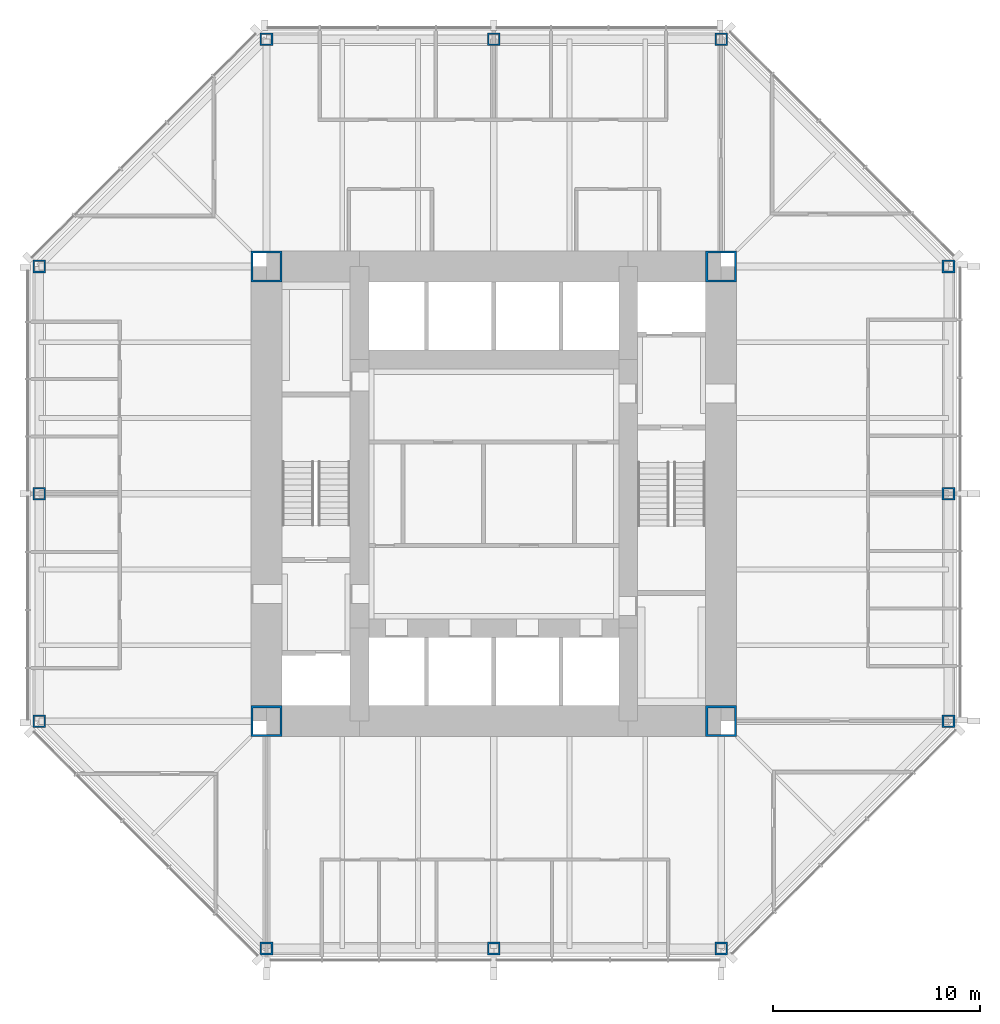
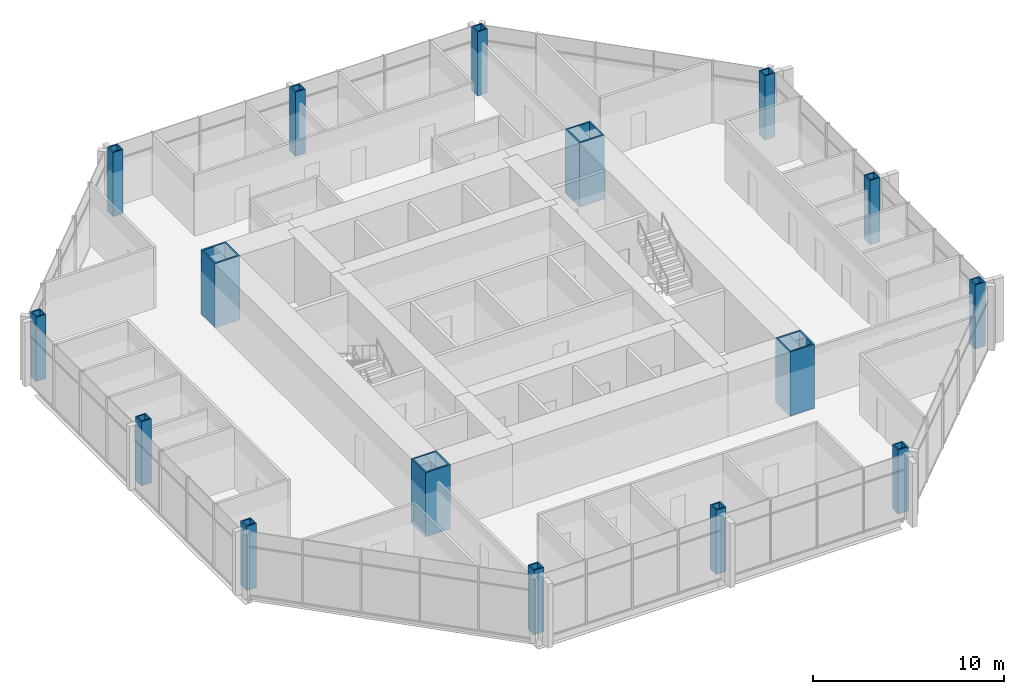
# One storey, part 1 of 12: 16 columns.
"""IFC4 building model written with IfcOpenShell, lengths in metres."""

from ifc_helpers import new_model, si_unit, direction, frame, origin, origin_2d, place, context, subcontext, project, spatial, hollow_rectangle, extrude, material, material_profile, profile_set, type_object, element, save


model = new_model("IFC4")

# Units and contexts
model_context = context("Model", 3, precision=1e-05, world=origin(), true_north=direction((0.0, 1.0)))
body_context = subcontext(model_context, "Body", "Model", "MODEL_VIEW")
ifc_project = project(units=[si_unit("LENGTHUNIT", "METRE"), si_unit("AREAUNIT", "SQUARE_METRE"), si_unit("VOLUMEUNIT", "CUBIC_METRE"), si_unit("PLANEANGLEUNIT", "RADIAN"), si_unit("MASSUNIT", "GRAM", prefix="KILO")], contexts=[model_context])

# Site, building, storey
site_placement = place(None, origin())
site = spatial("IfcSite", under=ifc_project, at=site_placement, CompositionType="ELEMENT")
building_placement = place(site_placement, origin())
building = spatial("IfcBuilding", under=site, at=building_placement, Name="Trevanion Tower", CompositionType="ELEMENT")
storey_placement = place(building_placement, frame((0.0, 0.0, 170.5)))
storey = spatial("IfcBuildingStorey", under=building, at=storey_placement, Name="L40", CompositionType="ELEMENT", Elevation=170.5)

# Columns
ifc_material_1 = material(Name="Steel ASTM A572 Grade 50", Category="steel")
ifc_material_profile_1 = material_profile(ifc_material_1, hollow_rectangle(XDim=0.609619140625, YDim=0.609619140625, WallThickness=0.076171875, at=origin_2d()), Name="BOX24X24X3")
ifc_profile_set_1 = profile_set([ifc_material_profile_1], Name="Steel ASTM A572 Grade 50")
column_type_1 = type_object("IfcColumnType", Name="C4 BOX24X24X3", PredefinedType="COLUMN", material=ifc_profile_set_1)
for number, where, z_axis, x_axis, name in (
    (1, (-22.0, 0.0, 0.0), (0.0, 0.0, 1.0), (0.0, 1.0, 0.0), "C4 4/H L40"),
    (2, (-22.0, -11.0, 0.0), (0.0, 0.0, 1.0), (0.0, 1.0, 0.0), "C4 4/F L40"),
    (3, (-11.0, -22.0, 0.0), (0.0, 0.0, 1.0), (1.0, 0.0, 0.0), "C4 8/B L40"),
    (4, (0.0, -22.0, 0.0), (0.0, 0.0, 1.0), (1.0, 0.0, 0.0), "C4 10/B L40"),
    (5, (11.0, -22.0, 0.0), (0.0, 0.0, 1.0), (1.0, 0.0, 0.0), "C4 12/B L40"),
    (6, (22.0, -11.0, 0.0), (0.0, 0.0, 1.0), (0.0, 1.0, 0.0), "C4 16/F L40"),
    (7, (22.0, 0.0, 0.0), (0.0, 0.0, 1.0), (0.0, 1.0, 0.0), "C4 16/H L40"),
    (8, (22.0, 11.0, 0.0), (0.0, 0.0, 1.0), (0.0, 1.0, 0.0), "C4 16/K L40"),
    (9, (11.0, 22.0, 0.0), (0.0, 0.0, 1.0), (1.0, 0.0, 0.0), "C4 12/P L40"),
    (10, (0.0, 22.0, 0.0), (0.0, 0.0, 1.0), (1.0, 0.0, 0.0), "C4 10/P L40"),
    (11, (-11.0, 22.0, 0.0), (0.0, 0.0, 1.0), (1.0, 0.0, 0.0), "C4 8/P L40"),
    (12, (-22.0, 11.0, 0.0), (0.0, 0.0, 1.0), (0.0, 1.0, 0.0), "C4 4/K L40"),
):
    element("IfcColumn", number, at=place(storey_placement, frame(where, z_axis=z_axis, x_axis=x_axis)), inside=storey, type_object=column_type_1, Name=name, PredefinedType="COLUMN", context=body_context, shape_type="SweptSolid", body=[
        extrude(hollow_rectangle(XDim=0.609619140625, YDim=0.609619140625, WallThickness=0.076171875, at=origin_2d()), origin(), (0.0, 0.0, 1.0), 4.10009765625),
    ])
ifc_material_2 = material(Name="Steel ASTM A572 Grade 50", Category="steel")
ifc_material_profile_2 = material_profile(ifc_material_2, hollow_rectangle(XDim=1.49853515625, YDim=1.49853515625, WallThickness=0.1015625, at=origin_2d()), Name="BOX59X59X4")
ifc_profile_set_2 = profile_set([ifc_material_profile_2], Name="Steel ASTM A572 Grade 50")
column_type_2 = type_object("IfcColumnType", Name="CB1 BOX59X59X4", PredefinedType="COLUMN", material=ifc_profile_set_2)
for number, where, z_axis, x_axis, name in (
    (13, (11.0, 11.0, 0.0), (0.0, 0.0, 1.0), (1.0, 0.0, 0.0), "CB1 NE L40"),
    (14, (-11.0, 11.0, 0.0), (0.0, 0.0, 1.0), (1.0, 0.0, 0.0), "CB1 NW L40"),
    (15, (-11.0, -11.0, 0.0), (0.0, 0.0, 1.0), (1.0, 0.0, 0.0), "CB1 SW L40"),
    (16, (11.0, -11.0, 0.0), (0.0, 0.0, 1.0), (1.0, 0.0, 0.0), "CB1 SE L40"),
):
    element("IfcColumn", number, at=place(storey_placement, frame(where, z_axis=z_axis, x_axis=x_axis)), inside=storey, type_object=column_type_2, Name=name, PredefinedType="COLUMN", context=body_context, shape_type="SweptSolid", body=[
        extrude(hollow_rectangle(XDim=1.49853515625, YDim=1.49853515625, WallThickness=0.1015625, at=origin_2d()), origin(), (0.0, 0.0, 1.0), 4.10009765625),
    ])

save(model, "model.ifc")
